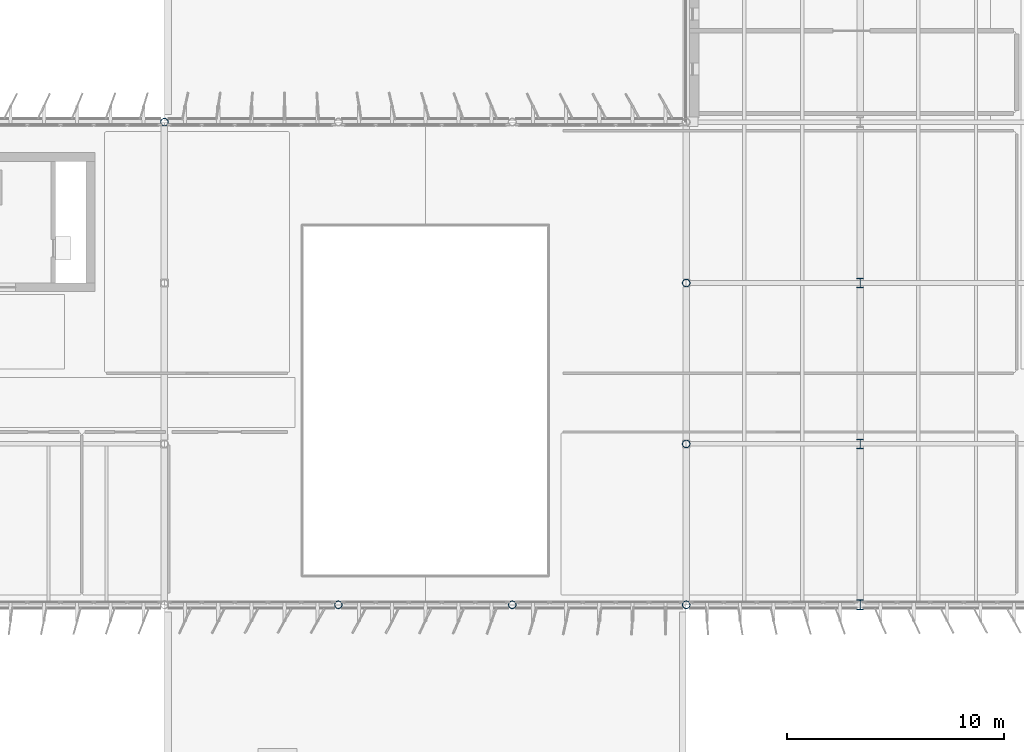
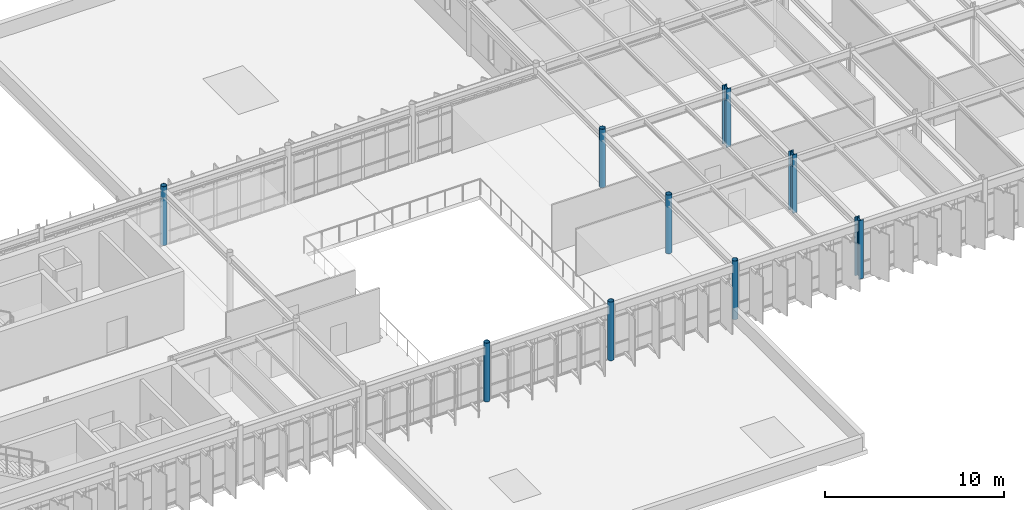
# One storey, part 4 of 56: 9 columns.
"""IFC4 building model written with IfcOpenShell, lengths in metres."""

from ifc_helpers import new_model, si_unit, direction, frame, origin, origin_2d, place, context, subcontext, project, spatial, hollow_circle, i_section, extrude, material, material_profile, profile_set, type_object, element, save


model = new_model("IFC4")

# Units and contexts
model_context = context("Model", 3, precision=1e-05, world=origin(), true_north=direction((0.0, 1.0)))
body_context = subcontext(model_context, "Body", "Model", "MODEL_VIEW")
ifc_project = project(units=[si_unit("LENGTHUNIT", "METRE"), si_unit("AREAUNIT", "SQUARE_METRE"), si_unit("VOLUMEUNIT", "CUBIC_METRE"), si_unit("PLANEANGLEUNIT", "RADIAN"), si_unit("MASSUNIT", "GRAM", prefix="KILO")], contexts=[model_context])

# Site, building, storey
site_placement = place(None, origin())
site = spatial("IfcSite", under=ifc_project, at=site_placement, CompositionType="ELEMENT")
building_placement = place(site_placement, origin())
building = spatial("IfcBuilding", under=site, at=building_placement, Name="Valkorina Park Police Headquarters", CompositionType="ELEMENT")
storey_placement = place(building_placement, frame((0.0, 0.0, 14.10009765625)))
storey = spatial("IfcBuildingStorey", under=building, at=storey_placement, Name="L04", CompositionType="ELEMENT", Elevation=14.10009765625)

# Columns
ifc_material = material(Name="Steel S355", Category="steel")
ifc_material_profile_1 = material_profile(ifc_material, hollow_circle(Radius=0.177734375, WallThickness=0.01611328125, at=origin_2d()), Name="CHS 355.6x16")
ifc_profile_set_1 = profile_set([ifc_material_profile_1], Name="Steel S355")
column_type_1 = type_object("IfcColumnType", Name="COL-S355-CHS355-EXT", PredefinedType="COLUMN", material=ifc_profile_set_1)
for number, where, z_axis, x_axis, name in (
    (1, (56.800048828125, 59.199951171875, 0.0), (0.0, 0.0, 1.0), (1.0, 0.0, 0.0), "L04 Column 0881"),
    (2, (64.800048828125, 37.0, 0.0), (0.0, 0.0, 1.0), (1.0, 0.0, 0.0), "L04 Column 0882"),
    (3, (72.800048828125, 37.0, 0.0), (0.0, 0.0, 1.0), (1.0, 0.0, 0.0), "L04 Column 0884"),
    (4, (80.800048828125, 37.0, 0.0), (0.0, 0.0, 1.0), (1.0, 0.0, 0.0), "L04 Column 0886"),
):
    element("IfcColumn", number, at=place(storey_placement, frame(where, z_axis=z_axis, x_axis=x_axis)), inside=storey, type_object=column_type_1, Name=name, PredefinedType="COLUMN", context=body_context, shape_type="SweptSolid", body=[
        extrude(hollow_circle(Radius=0.177734375, WallThickness=0.01611328125, at=origin_2d()), origin(), (0.0, 0.0, 1.0), 4.0),
    ])
ifc_material_profile_2 = material_profile(ifc_material, hollow_circle(Radius=0.177734375, WallThickness=0.01611328125, at=origin_2d()), Name="CHS 355.6x16")
ifc_profile_set_2 = profile_set([ifc_material_profile_2], Name="Steel S355")
column_type_2 = type_object("IfcColumnType", Name="COL-S355-CHS355-INT", PredefinedType="COLUMN", material=ifc_profile_set_2)
for number, where, z_axis, x_axis, name in (
    (5, (80.800048828125, 44.39990234375, 0.0), (0.0, 0.0, 1.0), (1.0, 0.0, 0.0), "L04 Column 0887"),
    (6, (80.800048828125, 51.800048828125, 0.0), (0.0, 0.0, 1.0), (1.0, 0.0, 0.0), "L04 Column 0888"),
):
    element("IfcColumn", number, at=place(storey_placement, frame(where, z_axis=z_axis, x_axis=x_axis)), inside=storey, type_object=column_type_2, Name=name, PredefinedType="COLUMN", context=body_context, shape_type="SweptSolid", body=[
        extrude(hollow_circle(Radius=0.177734375, WallThickness=0.01611328125, at=origin_2d()), origin(), (0.0, 0.0, 1.0), 4.0),
    ])
ifc_material_profile_3 = material_profile(ifc_material, i_section(OverallWidth=0.300048828125, OverallDepth=0.449951171875, WebThickness=0.013916015625, FlangeThickness=0.02587890625, FilletRadius=0.027099609375, at=origin_2d()), Name="HEB 450")
ifc_profile_set_3 = profile_set([ifc_material_profile_3], Name="Steel S355")
column_type_3 = type_object("IfcColumnType", Name="COL-S355-HEB450-EXT", PredefinedType="COLUMN", material=ifc_profile_set_3)
column_placement = place(storey_placement, frame((88.800048828125, 37.0, 0.0), z_axis=(0.0, 0.0, 1.0), x_axis=(1.0, 0.0, 0.0)))
element("IfcColumn", 7, at=column_placement, inside=storey, type_object=column_type_3, Name="L04 Column 0893", PredefinedType="COLUMN", context=body_context, shape_type="SweptSolid", body=[
    extrude(i_section(OverallWidth=0.300048828125, OverallDepth=0.449951171875, WebThickness=0.013916015625, FlangeThickness=0.02587890625, FilletRadius=0.027099609375, at=origin_2d()), origin(), (0.0, 0.0, 1.0), 4.0),
])
ifc_material_profile_4 = material_profile(ifc_material, i_section(OverallWidth=0.300048828125, OverallDepth=0.449951171875, WebThickness=0.013916015625, FlangeThickness=0.02587890625, FilletRadius=0.027099609375, at=origin_2d()), Name="HEB 450")
ifc_profile_set_4 = profile_set([ifc_material_profile_4], Name="Steel S355")
column_type_4 = type_object("IfcColumnType", Name="COL-S355-HEB450-INT", PredefinedType="COLUMN", material=ifc_profile_set_4)
for number, where, z_axis, x_axis, name in (
    (8, (88.800048828125, 44.39990234375, 0.0), (0.0, 0.0, 1.0), (1.0, 0.0, 0.0), "L04 Column 0894"),
    (9, (88.800048828125, 51.800048828125, 0.0), (0.0, 0.0, 1.0), (1.0, 0.0, 0.0), "L04 Column 0895"),
):
    element("IfcColumn", number, at=place(storey_placement, frame(where, z_axis=z_axis, x_axis=x_axis)), inside=storey, type_object=column_type_4, Name=name, PredefinedType="COLUMN", context=body_context, shape_type="SweptSolid", body=[
        extrude(i_section(OverallWidth=0.300048828125, OverallDepth=0.449951171875, WebThickness=0.013916015625, FlangeThickness=0.02587890625, FilletRadius=0.027099609375, at=origin_2d()), origin(), (0.0, 0.0, 1.0), 4.0),
    ])

save(model, "model.ifc")
